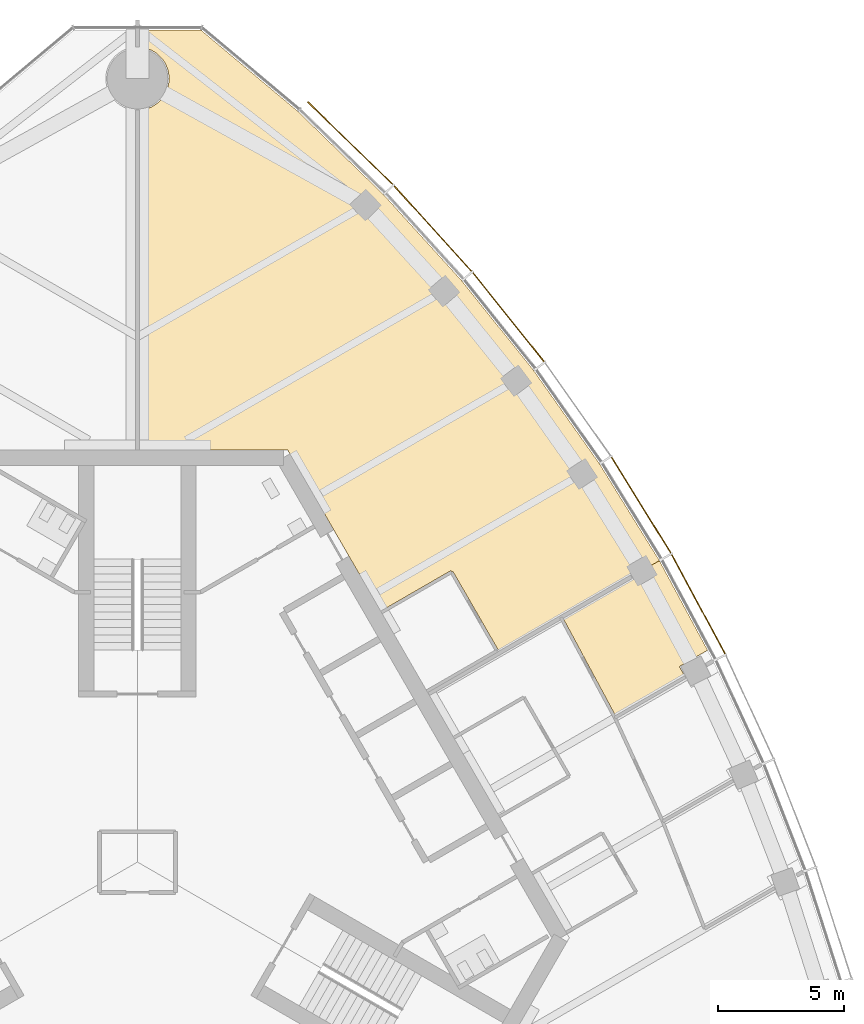
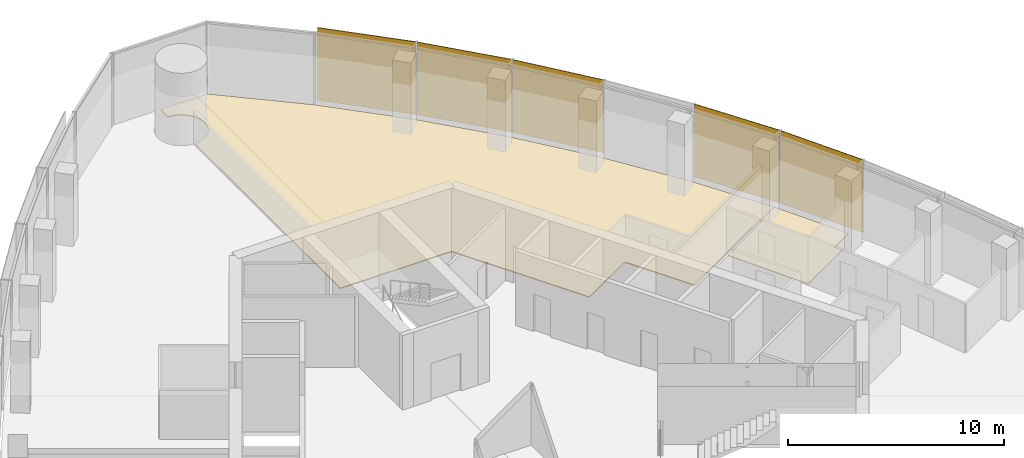
# One storey, part 14 of 16: 5 shading devices, 2 coverings.
"""IFC4 building model written with IfcOpenShell, lengths in metres."""

from ifc_helpers import new_model, si_unit, direction, frame, origin, origin_2d, place, context, subcontext, project, spatial, polyline, rectangle, outline, extrude, material, layer, layer_set, type_object, element, save


model = new_model("IFC4")

# Units and contexts
model_context = context("Model", 3, precision=1e-05, world=origin(), true_north=direction((0.0, 1.0)))
body_context = subcontext(model_context, "Body", "Model", "MODEL_VIEW")
ifc_project = project(units=[si_unit("LENGTHUNIT", "METRE"), si_unit("AREAUNIT", "SQUARE_METRE"), si_unit("VOLUMEUNIT", "CUBIC_METRE"), si_unit("PLANEANGLEUNIT", "RADIAN"), si_unit("MASSUNIT", "GRAM", prefix="KILO")], contexts=[model_context])

# Site, building, storey
site_placement = place(None, origin())
site = spatial("IfcSite", under=ifc_project, at=site_placement, CompositionType="ELEMENT")
building_placement = place(site_placement, origin())
building = spatial("IfcBuilding", under=site, at=building_placement, Name="Trefoil Bronze Tower", CompositionType="ELEMENT")
storey_placement = place(building_placement, frame((0.0, 0.0, 318.300048828125)))
storey = spatial("IfcBuildingStorey", under=building, at=storey_placement, Name="L73", CompositionType="ELEMENT", Elevation=318.300048828125)

# Shading devices
ifc_material_1 = material(Name="Perforated bronze sheet", Category="bronze")
ifc_layer_1 = layer(ifc_material_1, 0.0400390625)
ifc_layer_set_1 = layer_set([ifc_layer_1], Name="Bronze solar screen panel")
shading_device_type = type_object("IfcShadingDeviceType", Name="Bronze solar screen panel", PredefinedType="SHUTTER", material=ifc_layer_set_1)
for number, where, z_axis, x_axis, name in (
    (1, (22.19775390625, 10.198974609375, 0.0498046875), (0.0, 0.0, 1.0), (-0.473562437085, 0.880760250115, 0.0), "Solar screen CW-A L73 F2 bay 5"),
    (2, (19.931396484375, 14.124267578125, 0.0498046875), (0.0, 0.0, 1.0), (-0.525979532701, 0.850497225851, 0.0), "Solar screen CW-A L73 F2 bay 6"),
):
    element("IfcShadingDevice", number, at=place(storey_placement, frame(where, z_axis=z_axis, x_axis=x_axis)), inside=storey, type_object=shading_device_type, Name=name, PredefinedType="SHUTTER", context=body_context, shape_type="SweptSolid", body=[
        extrude(rectangle(XDim=4.47216796875, YDim=0.0400390625, at=origin_2d()), origin(), (0.0, 0.0, 1.0), 4.10009765625),
    ])
shading_device_1_placement = place(storey_placement, frame((14.680908203125, 21.560791015625, 0.0498046875), z_axis=(0.0, 0.0, 1.0), x_axis=(-0.625286758829, 0.780395072533, 0.0)))
element("IfcShadingDevice", 3, at=shading_device_1_placement, inside=storey, type_object=shading_device_type, Name="Solar screen CW-A L73 F2 bay 8", PredefinedType="SHUTTER", context=body_context, shape_type="SweptSolid", body=[
    extrude(rectangle(XDim=4.5224609375, YDim=0.0400390625, at=origin_2d()), origin(), (0.0, 0.0, 1.0), 4.10009765625),
])
shading_device_2_placement = place(storey_placement, frame((11.688720703125, 25.067138671875, 0.0498046875), z_axis=(0.0, 0.0, 1.0), x_axis=(-0.672115274615, 0.74044652584, 0.0)))
element("IfcShadingDevice", 4, at=shading_device_2_placement, inside=storey, type_object=shading_device_type, Name="Solar screen CW-A L73 F2 bay 9", PredefinedType="SHUTTER", context=body_context, shape_type="SweptSolid", body=[
    extrude(rectangle(XDim=4.574462890625, YDim=0.0400390625, at=origin_2d()), origin(), (0.0, 0.0, 1.0), 4.10009765625),
])
shading_device_3_placement = place(storey_placement, frame((8.42236328125, 28.443359375, 0.0498046875), z_axis=(0.0, 0.0, 1.0), x_axis=(-0.71721818561, 0.696848673839, 0.0)))
element("IfcShadingDevice", 5, at=shading_device_3_placement, inside=storey, type_object=shading_device_type, Name="Solar screen CW-A L73 F2 bay 10", PredefinedType="SHUTTER", context=body_context, shape_type="SweptSolid", body=[
    extrude(rectangle(XDim=4.697509765625, YDim=0.0400390625, at=origin_2d()), origin(), (0.0, 0.0, 1.0), 4.10009765625),
])

# Coverings
ifc_material_2 = material(Name="Raised access floor panels", Category="steel")
ifc_layer_2 = layer(ifc_material_2, 0.050048828125)
ifc_layer_set_2 = layer_set([ifc_layer_2], Name="Raised access floor 150")
covering_type = type_object("IfcCoveringType", Name="Raised access floor 150", PredefinedType="FLOORING", material=ifc_layer_set_2)
covering_1_placement = place(storey_placement, frame((0.0, 0.0, 0.099853515625)))
element("IfcCovering", 6, at=covering_1_placement, inside=storey, type_object=covering_type, Name="Raised floor L73 Members' office F2", PredefinedType="FLOORING", context=body_context, shape_type="SweptSolid", body=[
    extrude(outline(polyline([(20.656005859375, 11.92578125), (22.56201171875, 8.38134765625), (21.441650390625, 7.734619140625), (21.680419921875, 7.321044921875), (21.677490234375, 7.3193359375), (21.647705078125, 7.371337890625), (18.91455078125, 5.79345703125), (16.846435546875, 9.6396484375), (19.585205078125, 11.220703125), (19.547607421875, 11.285888671875), (20.656005859375, 11.92578125)])), origin(), (0.0, 0.0, 1.0), 0.050048828125),
])
covering_2_placement = place(storey_placement, frame((0.0, 0.0, 0.099853515625)))
element("IfcCovering", 7, at=covering_2_placement, inside=storey, type_object=covering_type, Name="Raised floor L73 Lounge F2", PredefinedType="FLOORING", context=body_context, shape_type="SweptSolid", body=[
    extrude(outline(polyline([(6.350830078125, 29.703125), (9.741455078125, 26.408935546875), (12.836181640625, 22.99951171875), (15.682861328125, 19.44677734375), (18.2880859375, 15.7548828125), (20.655517578125, 11.926513671875), (19.547119140625, 11.28662109375), (19.510009765625, 11.350830078125), (14.251953125, 8.31494140625), (14.226806640625, 8.3583984375), (14.27880859375, 8.38818359375), (12.47900390625, 11.505859375), (12.427001953125, 11.475830078125), (12.39697265625, 11.52783203125), (9.62548828125, 9.927978515625), (5.94677734375, 16.300048828125), (0.006103515625, 16.300048828125), (0.01123046875, 29.750244140625), (0.061279296875, 29.75146484375), (0.12255859375, 29.756103515625), (0.183349609375, 29.763427734375), (0.243896484375, 29.77392578125), (0.3037109375, 29.78759765625), (0.36279296875, 29.8037109375), (0.421142578125, 29.822998046875), (0.478515625, 29.84521484375), (0.534423828125, 29.8701171875), (0.589111328125, 29.897705078125), (0.642578125, 29.927734375), (0.694580078125, 29.960693359375), (0.74462890625, 29.99609375), (0.79296875, 30.03369140625), (0.83935546875, 30.07373046875), (0.8837890625, 30.1162109375), (0.92626953125, 30.16064453125), (0.96630859375, 30.20703125), (1.00390625, 30.25537109375), (1.039306640625, 30.305419921875), (1.072265625, 30.357421875), (1.102294921875, 30.410888671875), (1.1298828125, 30.465576171875), (1.15478515625, 30.521484375), (1.177001953125, 30.578857421875), (1.1962890625, 30.63720703125), (1.21240234375, 30.6962890625), (1.22607421875, 30.756103515625), (1.236572265625, 30.816650390625), (1.243896484375, 30.87744140625), (1.24853515625, 30.938720703125), (1.25, 31.0), (1.24853515625, 31.061279296875), (1.243896484375, 31.12255859375), (1.236572265625, 31.183349609375), (1.22607421875, 31.243896484375), (1.21240234375, 31.3037109375), (1.1962890625, 31.36279296875), (1.177001953125, 31.421142578125), (1.15478515625, 31.478515625), (1.1298828125, 31.534423828125), (1.102294921875, 31.589111328125), (1.072265625, 31.642578125), (1.039306640625, 31.694580078125), (1.00390625, 31.74462890625), (0.96630859375, 31.79296875), (0.92626953125, 31.83935546875), (0.8837890625, 31.8837890625), (0.83935546875, 31.92626953125), (0.79296875, 31.96630859375), (0.74462890625, 32.00390625), (0.694580078125, 32.039306640625), (0.642578125, 32.072265625), (0.589111328125, 32.102294921875), (0.534423828125, 32.1298828125), (0.478515625, 32.15478515625), (0.421142578125, 32.177001953125), (0.36279296875, 32.1962890625), (0.3037109375, 32.21240234375), (0.243896484375, 32.22607421875), (0.183349609375, 32.236572265625), (0.12255859375, 32.243896484375), (0.061279296875, 32.24853515625), (0.01220703125, 32.249755859375), (0.01220703125, 32.927490234375), (2.508056640625, 32.927490234375), (6.350830078125, 29.703125)])), origin(), (0.0, 0.0, 1.0), 0.050048828125),
])

save(model, "model.ifc")
